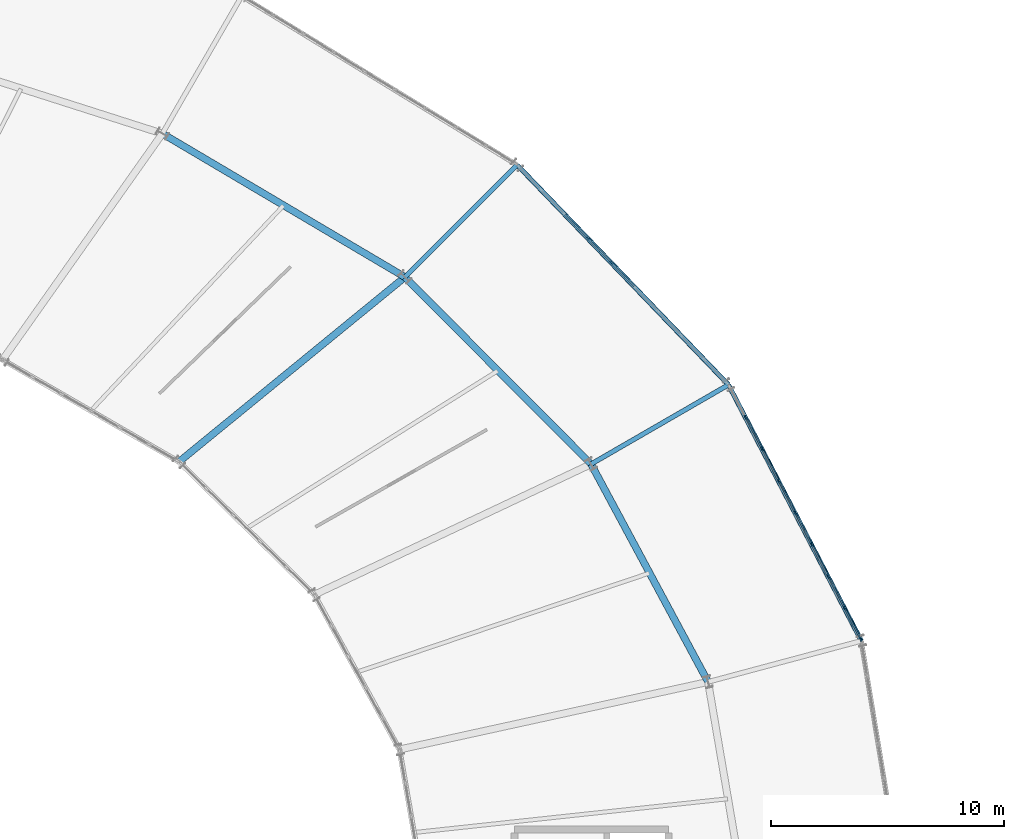
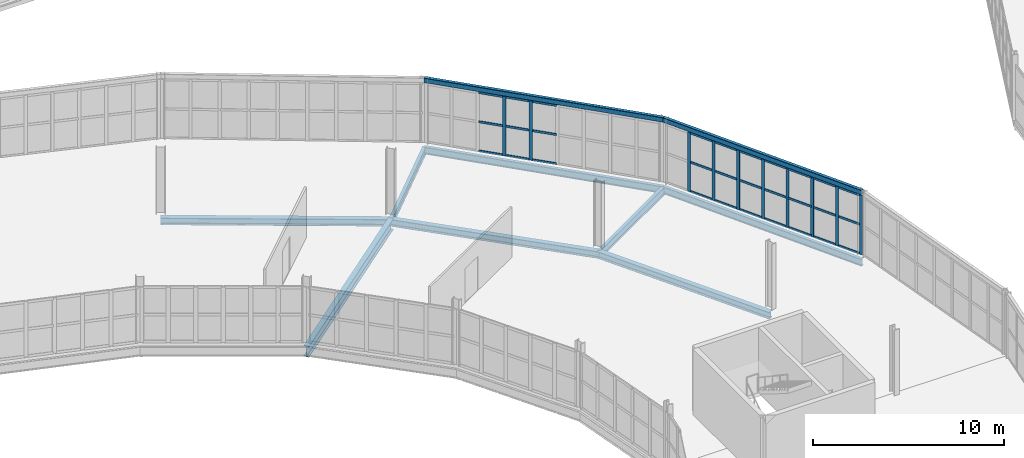
# One storey, part 85 of 161: 40 members, 10 beams, 2 elements without a shape of their own.
"""IFC4 building model written with IfcOpenShell, lengths in metres."""

from ifc_helpers import new_model, si_unit, direction, frame, origin, origin_2d, place, context, subcontext, project, spatial, rectangle, hollow_rectangle, i_section, extrude, material, material_profile, profile_set, type_object, element, aggregate, save


model = new_model("IFC4")

# Units and contexts
model_context = context("Model", 3, precision=1e-05, world=origin(), true_north=direction((0.0, 1.0)))
body_context = subcontext(model_context, "Body", "Model", "MODEL_VIEW")
ifc_project = project(units=[si_unit("LENGTHUNIT", "METRE"), si_unit("AREAUNIT", "SQUARE_METRE"), si_unit("VOLUMEUNIT", "CUBIC_METRE"), si_unit("PLANEANGLEUNIT", "RADIAN"), si_unit("MASSUNIT", "GRAM", prefix="KILO")], contexts=[model_context])

# Site, building, storey
site_placement = place(None, origin())
site = spatial("IfcSite", under=ifc_project, at=site_placement, CompositionType="ELEMENT")
building_placement = place(site_placement, origin())
building = spatial("IfcBuilding", under=site, at=building_placement, Name="Kildeholm Park Wholesale Market", CompositionType="ELEMENT")
storey_placement = place(building_placement, frame((0.0, 0.0, 5.39990234375)))
storey = spatial("IfcBuildingStorey", under=building, at=storey_placement, Name="L01", CompositionType="ELEMENT", Elevation=5.39990234375)

# Beams
ifc_material_1 = material(Name="Steel S355", Category="steel")
ifc_material_profile_1 = material_profile(ifc_material_1, i_section(OverallWidth=0.300048828125, OverallDepth=0.699951171875, WebThickness=0.01708984375, FlangeThickness=0.031982421875, FilletRadius=0.027099609375, at=origin_2d()), Name="HEB 700")
ifc_profile_set_1 = profile_set([ifc_material_profile_1], Name="Steel S355")
beam_type_1 = type_object("IfcBeamType", Name="Beam B-G01 HEB 700", PredefinedType="BEAM", material=ifc_profile_set_1)
beam_1_placement = place(storey_placement, frame((124.80908203125, 108.945068359375, -0.599853515625), z_axis=(0.774216280002, 0.632921126034, 0.0), x_axis=(-0.632921126034, 0.774216280002, 0.0)))
element("IfcBeam", 1, at=beam_1_placement, inside=storey, type_object=beam_type_1, Name="Beam BM-V1-L01-R1-03 BM-0028", PredefinedType="BEAM", context=body_context, shape_type="SweptSolid", body=[
    extrude(i_section(OverallWidth=0.300048828125, OverallDepth=0.699951171875, WebThickness=0.01708984375, FlangeThickness=0.031982421875, FilletRadius=0.027099609375, at=origin_2d()), origin(), (0.0, 0.0, 1.0), 12.51318359375),
])
ifc_material_profile_2 = material_profile(ifc_material_1, i_section(OverallWidth=0.18994140625, OverallDepth=0.449951171875, WebThickness=0.009521484375, FlangeThickness=0.0146484375, FilletRadius=0.02099609375, at=origin_2d()), Name="IPE 450")
ifc_profile_set_2 = profile_set([ifc_material_profile_2], Name="Steel S355")
beam_type_2 = type_object("IfcBeamType", Name="Beam B-P02 IPE 450", PredefinedType="BEAM", material=ifc_profile_set_2)
beam_2_placement = place(storey_placement, frame((154.05810546875, 101.27587890625, -0.474853515625), z_axis=(-0.460622041592, 0.887596380569, 0.0), x_axis=(-0.887596380569, -0.460622041592, 0.0)))
element("IfcBeam", 2, at=beam_2_placement, inside=storey, type_object=beam_type_2, Name="Beam BM-V1-L01-CO-01 BM-0014", PredefinedType="BEAM", context=body_context, shape_type="SweptSolid", body=[
    extrude(i_section(OverallWidth=0.18994140625, OverallDepth=0.449951171875, WebThickness=0.009521484375, FlangeThickness=0.0146484375, FilletRadius=0.02099609375, at=origin_2d()), origin(), (0.0, 0.0, 1.0), 12.36376953125),
])
beam_3_placement = place(storey_placement, frame((148.363037109375, 112.25, -0.474853515625), z_axis=(-0.693006803532, 0.720931044039, 0.0), x_axis=(-0.720931044039, -0.693006803532, 0.0)))
element("IfcBeam", 3, at=beam_3_placement, inside=storey, type_object=beam_type_2, Name="Beam BM-V1-L01-CO-02 BM-0023", PredefinedType="BEAM", context=body_context, shape_type="SweptSolid", body=[
    extrude(i_section(OverallWidth=0.18994140625, OverallDepth=0.449951171875, WebThickness=0.009521484375, FlangeThickness=0.0146484375, FilletRadius=0.02099609375, at=origin_2d()), origin(), (0.0, 0.0, 1.0), 13.07080078125),
])
ifc_material_profile_3 = material_profile(ifc_material_1, i_section(OverallWidth=0.199951171875, OverallDepth=0.5, WebThickness=0.01025390625, FlangeThickness=0.01611328125, FilletRadius=0.02099609375, at=origin_2d()), Name="IPE 500")
ifc_profile_set_3 = profile_set([ifc_material_profile_3], Name="Steel S355")
beam_type_3 = type_object("IfcBeamType", Name="Beam B-P03 IPE 500", PredefinedType="BEAM", material=ifc_profile_set_3)
beam_4_placement = place(storey_placement, frame((142.47412109375, 108.85009765625, -0.5), z_axis=(0.866029536736, 0.499992841449, 0.0), x_axis=(-0.499992841449, 0.866029536736, 0.0)))
element("IfcBeam", 4, at=beam_4_placement, inside=storey, type_object=beam_type_3, Name="Beam BM-V1-L01-R2-02 BM-0020", PredefinedType="BEAM", context=body_context, shape_type="SweptSolid", body=[
    extrude(i_section(OverallWidth=0.199951171875, OverallDepth=0.5, WebThickness=0.01025390625, FlangeThickness=0.01611328125, FilletRadius=0.02099609375, at=origin_2d()), origin(), (0.0, 0.0, 1.0), 6.7998046875),
])
beam_5_placement = place(storey_placement, frame((134.4970703125, 116.864990234375, -0.5), z_axis=(0.707088828163, 0.707124733755, 0.0), x_axis=(-0.707124733755, 0.707088828163, 0.0)))
element("IfcBeam", 5, at=beam_5_placement, inside=storey, type_object=beam_type_3, Name="Beam BM-V1-L01-R2-03 BM-0030", PredefinedType="BEAM", context=body_context, shape_type="SweptSolid", body=[
    extrude(i_section(OverallWidth=0.199951171875, OverallDepth=0.5, WebThickness=0.01025390625, FlangeThickness=0.01611328125, FilletRadius=0.02099609375, at=origin_2d()), origin(), (0.0, 0.0, 1.0), 6.799560546875),
])
ifc_material_profile_4 = material_profile(ifc_material_1, i_section(OverallWidth=0.300048828125, OverallDepth=0.43994140625, WebThickness=0.011474609375, FlangeThickness=0.02099609375, FilletRadius=0.027099609375, at=origin_2d()), Name="HEA 450")
ifc_profile_set_4 = profile_set([ifc_material_profile_4], Name="Steel S355")
beam_type_4 = type_object("IfcBeamType", Name="Beam B-R02 HEA 450", PredefinedType="BEAM", material=ifc_profile_set_4)
beam_6_placement = place(storey_placement, frame((147.489013671875, 99.51611328125, -0.469970703125), z_axis=(-0.473287580572, 0.880907978211, 0.0), x_axis=(-0.880907978211, -0.473287580572, 0.0)))
element("IfcBeam", 6, at=beam_6_placement, inside=storey, type_object=beam_type_4, Name="Beam BM-V1-L01-CM-01 BM-0013", PredefinedType="BEAM", context=body_context, shape_type="SweptSolid", body=[
    extrude(i_section(OverallWidth=0.300048828125, OverallDepth=0.43994140625, WebThickness=0.011474609375, FlangeThickness=0.02099609375, FilletRadius=0.027099609375, at=origin_2d()), origin(), (0.0, 0.0, 1.0), 10.595947265625),
])
beam_7_placement = place(storey_placement, frame((142.47412109375, 108.85009765625, -0.469970703125), z_axis=(-0.705431576708, 0.708778026313, 0.0), x_axis=(-0.708778026313, -0.705431576708, 0.0)))
element("IfcBeam", 7, at=beam_7_placement, inside=storey, type_object=beam_type_4, Name="Beam BM-V1-L01-CM-02 BM-0022", PredefinedType="BEAM", context=body_context, shape_type="SweptSolid", body=[
    extrude(i_section(OverallWidth=0.300048828125, OverallDepth=0.43994140625, WebThickness=0.011474609375, FlangeThickness=0.02099609375, FilletRadius=0.027099609375, at=origin_2d()), origin(), (0.0, 0.0, 1.0), 11.30810546875),
])
beam_8_placement = place(storey_placement, frame((134.4970703125, 116.864990234375, -0.469970703125), z_axis=(-0.860700316594, 0.509111937609, 0.0), x_axis=(-0.509111937609, -0.860700316594, 0.0)))
element("IfcBeam", 8, at=beam_8_placement, inside=storey, type_object=beam_type_4, Name="Beam BM-V1-L01-CM-03 BM-0032", PredefinedType="BEAM", context=body_context, shape_type="SweptSolid", body=[
    extrude(i_section(OverallWidth=0.300048828125, OverallDepth=0.43994140625, WebThickness=0.011474609375, FlangeThickness=0.02099609375, FilletRadius=0.027099609375, at=origin_2d()), origin(), (0.0, 0.0, 1.0), 12.07958984375),
])
ifc_material_profile_5 = material_profile(ifc_material_1, hollow_rectangle(XDim=0.199951171875, YDim=0.300048828125, WallThickness=0.012451171875, InnerFilletRadius=0.012451171875, OuterFilletRadius=0.02490234375, at=origin_2d()), Name="RHS 300x200x12.5")
ifc_profile_set_5 = profile_set([ifc_material_profile_5], Name="Steel S355")
beam_type_5 = type_object("IfcBeamType", Name="Beam SP-01 RHS 300x200x12.5", PredefinedType="SPANDREL", material=ifc_profile_set_5)
beam_9_placement = place(storey_placement, frame((154.05810546875, 101.27587890625, 4.02099609375), z_axis=(-0.460622041592, 0.887596380569, 0.0), x_axis=(-0.887596380569, -0.460622041592, 0.0)))
element("IfcBeam", 9, at=beam_9_placement, inside=storey, type_object=beam_type_5, Name="Beam SP-V1-EAV-01 BM-0226", PredefinedType="SPANDREL", context=body_context, shape_type="SweptSolid", body=[
    extrude(hollow_rectangle(XDim=0.199951171875, YDim=0.300048828125, WallThickness=0.012451171875, InnerFilletRadius=0.012451171875, OuterFilletRadius=0.02490234375, at=origin_2d()), origin(), (0.0, 0.0, 1.0), 12.36376953125),
])
beam_10_placement = place(storey_placement, frame((148.363037109375, 112.25, 4.0205078125), z_axis=(-0.693006803532, 0.720931044039, 0.0), x_axis=(-0.720931044039, -0.693006803532, 0.0)))
element("IfcBeam", 10, at=beam_10_placement, inside=storey, type_object=beam_type_5, Name="Beam SP-V1-EAV-02 BM-0232", PredefinedType="SPANDREL", context=body_context, shape_type="SweptSolid", body=[
    extrude(hollow_rectangle(XDim=0.199951171875, YDim=0.300048828125, WallThickness=0.012451171875, InnerFilletRadius=0.012451171875, OuterFilletRadius=0.02490234375, at=origin_2d()), origin(), (0.0, 0.0, 1.0), 13.07080078125),
])

# Curtain wall, members
ifc_material_2 = material(Name="Anodised aluminium and low-E double-glazed glass", Category="aluminium")
curtain_wall_type = type_object("IfcCurtainWallType", Name="Market hall glazed arcade stick curtain wall CW-01", PredefinedType="NOTDEFINED", material=ifc_material_2)
curtain_wall_1_placement = place(storey_placement, origin())
curtain_wall_1 = element("IfcCurtainWall", 11, at=curtain_wall_1_placement, inside=storey, type_object=curtain_wall_type, Name="Curtain wall CW-V1-OT-01-1 CW-0006", PredefinedType="NOTDEFINED")
ifc_material_3 = material(Name="Anodised aluminium", Category="aluminium")
ifc_material_profile_6 = material_profile(ifc_material_3, rectangle(XDim=0.06494140625, YDim=0.179931640625, at=origin_2d()), Name="CWM 65x180")
ifc_profile_set_6 = profile_set([ifc_material_profile_6], Name="Anodised aluminium")
member_type_1 = type_object("IfcMemberType", Name="Curtain-wall mullion CWM-1 CWM 65x180", PredefinedType="MULLION", material=ifc_profile_set_6)
member_1_placement = place(storey_placement, frame((154.030029296875, 101.341796875, 0.0), z_axis=(0.0, 0.0, 1.0), x_axis=(-0.88765224586, -0.460514375909, 0.0)))
member_1 = element("IfcMember", 12, at=member_1_placement, type_object=member_type_1, Name="CW-01 mullion 1 MEM-0519", PredefinedType="MULLION", context=body_context, shape_type="SweptSolid", body=[
    extrude(rectangle(XDim=0.06494140625, YDim=0.179931640625, at=origin_2d()), origin(), (0.0, 0.0, 1.0), 3.800048828125),
])
member_2_placement = place(storey_placement, frame((153.337890625, 102.676025390625, 0.0), z_axis=(0.0, 0.0, 1.0), x_axis=(-0.88765224586, -0.460514375909, 0.0)))
member_2 = element("IfcMember", 13, at=member_2_placement, type_object=member_type_1, Name="CW-01 mullion 2 MEM-0520", PredefinedType="MULLION", context=body_context, shape_type="SweptSolid", body=[
    extrude(rectangle(XDim=0.06494140625, YDim=0.179931640625, at=origin_2d()), origin(), (0.0, 0.0, 1.0), 3.800048828125),
])
member_3_placement = place(storey_placement, frame((152.630859375, 104.0390625, 0.0), z_axis=(0.0, 0.0, 1.0), x_axis=(-0.88765224586, -0.460514375909, 0.0)))
member_3 = element("IfcMember", 14, at=member_3_placement, type_object=member_type_1, Name="CW-01 mullion 3 MEM-0521", PredefinedType="MULLION", context=body_context, shape_type="SweptSolid", body=[
    extrude(rectangle(XDim=0.06494140625, YDim=0.179931640625, at=origin_2d()), origin(), (0.0, 0.0, 1.0), 3.800048828125),
])
member_4_placement = place(storey_placement, frame((151.923583984375, 105.402099609375, 0.0), z_axis=(0.0, 0.0, 1.0), x_axis=(-0.88765224586, -0.460514375909, 0.0)))
member_4 = element("IfcMember", 15, at=member_4_placement, type_object=member_type_1, Name="CW-01 mullion 4 MEM-0522", PredefinedType="MULLION", context=body_context, shape_type="SweptSolid", body=[
    extrude(rectangle(XDim=0.06494140625, YDim=0.179931640625, at=origin_2d()), origin(), (0.0, 0.0, 1.0), 3.800048828125),
])
member_5_placement = place(storey_placement, frame((151.216552734375, 106.764892578125, 0.0), z_axis=(0.0, 0.0, 1.0), x_axis=(-0.88765224586, -0.460514375909, 0.0)))
member_5 = element("IfcMember", 16, at=member_5_placement, type_object=member_type_1, Name="CW-01 mullion 5 MEM-0523", PredefinedType="MULLION", context=body_context, shape_type="SweptSolid", body=[
    extrude(rectangle(XDim=0.06494140625, YDim=0.179931640625, at=origin_2d()), origin(), (0.0, 0.0, 1.0), 3.800048828125),
])
member_6_placement = place(storey_placement, frame((150.50927734375, 108.1279296875, 0.0), z_axis=(0.0, 0.0, 1.0), x_axis=(-0.88765224586, -0.460514375909, 0.0)))
member_6 = element("IfcMember", 17, at=member_6_placement, type_object=member_type_1, Name="CW-01 mullion 6 MEM-0524", PredefinedType="MULLION", context=body_context, shape_type="SweptSolid", body=[
    extrude(rectangle(XDim=0.06494140625, YDim=0.179931640625, at=origin_2d()), origin(), (0.0, 0.0, 1.0), 3.800048828125),
])
member_7_placement = place(storey_placement, frame((149.80224609375, 109.490966796875, 0.0), z_axis=(0.0, 0.0, 1.0), x_axis=(-0.88765224586, -0.460514375909, 0.0)))
member_7 = element("IfcMember", 18, at=member_7_placement, type_object=member_type_1, Name="CW-01 mullion 7 MEM-0525", PredefinedType="MULLION", context=body_context, shape_type="SweptSolid", body=[
    extrude(rectangle(XDim=0.06494140625, YDim=0.179931640625, at=origin_2d()), origin(), (0.0, 0.0, 1.0), 3.800048828125),
])
member_8_placement = place(storey_placement, frame((149.09521484375, 110.85400390625, 0.0), z_axis=(0.0, 0.0, 1.0), x_axis=(-0.88765224586, -0.460514375909, 0.0)))
member_8 = element("IfcMember", 19, at=member_8_placement, type_object=member_type_1, Name="CW-01 mullion 8 MEM-0526", PredefinedType="MULLION", context=body_context, shape_type="SweptSolid", body=[
    extrude(rectangle(XDim=0.06494140625, YDim=0.179931640625, at=origin_2d()), origin(), (0.0, 0.0, 1.0), 3.800048828125),
])

curtain_wall_2_placement = place(storey_placement, origin())
curtain_wall_2 = element("IfcCurtainWall", 20, at=curtain_wall_2_placement, inside=storey, type_object=curtain_wall_type, Name="Curtain wall CW-V1-OT-02-1 CW-0011", PredefinedType="NOTDEFINED")
member_9_placement = place(storey_placement, frame((143.3388671875, 117.4853515625, 0.0), z_axis=(0.0, 0.0, 1.0), x_axis=(-0.720901097951, -0.69303795493, 0.0)))
member_9 = element("IfcMember", 21, at=member_9_placement, type_object=member_type_1, Name="CW-01 mullion 6 MEM-0649", PredefinedType="MULLION", context=body_context, shape_type="SweptSolid", body=[
    extrude(rectangle(XDim=0.06494140625, YDim=0.179931640625, at=origin_2d()), origin(), (0.0, 0.0, 1.0), 3.800048828125),
])
member_10_placement = place(storey_placement, frame((142.33837890625, 118.52587890625, 0.0), z_axis=(0.0, 0.0, 1.0), x_axis=(-0.720901097951, -0.69303795493, 0.0)))
member_10 = element("IfcMember", 22, at=member_10_placement, type_object=member_type_1, Name="CW-01 mullion 7 MEM-0650", PredefinedType="MULLION", context=body_context, shape_type="SweptSolid", body=[
    extrude(rectangle(XDim=0.06494140625, YDim=0.179931640625, at=origin_2d()), origin(), (0.0, 0.0, 1.0), 3.800048828125),
])

# Member
ifc_material_profile_7 = material_profile(ifc_material_3, rectangle(XDim=0.06494140625, YDim=0.139892578125, at=origin_2d()), Name="CWT 65x140")
ifc_profile_set_7 = profile_set([ifc_material_profile_7], Name="Anodised aluminium")
member_type_2 = type_object("IfcMemberType", Name="Curtain-wall transom CWT-1 CWT 65x140", PredefinedType="USERDEFINED", material=ifc_profile_set_7)
member_11_placement = place(storey_placement, frame((154.01513671875, 101.37060546875, 0.03271484375), z_axis=(-0.460540122908, 0.887638887832, 0.0), x_axis=(-0.887638887832, -0.460540122908, 0.0)))
member_11 = element("IfcMember", 23, at=member_11_placement, type_object=member_type_2, Name="CW-01 transom 1.1 MEM-0528", ObjectType="TRANSOM", PredefinedType="USERDEFINED", context=body_context, shape_type="SweptSolid", body=[
    extrude(rectangle(XDim=0.06494140625, YDim=0.139892578125, at=origin_2d()), origin(), (0.0, 0.0, 1.0), 1.438232421875),
])

member_12_placement = place(storey_placement, frame((154.01513671875, 101.37060546875, 1.900146484375), z_axis=(-0.460540122908, 0.887638887832, 0.0), x_axis=(-0.887638887832, -0.460540122908, 0.0)))
member_12 = element("IfcMember", 24, at=member_12_placement, type_object=member_type_2, Name="CW-01 transom 1.2 MEM-0529", ObjectType="TRANSOM", PredefinedType="USERDEFINED", context=body_context, shape_type="SweptSolid", body=[
    extrude(rectangle(XDim=0.06494140625, YDim=0.139892578125, at=origin_2d()), origin(), (0.0, 0.0, 1.0), 1.438232421875),
])

member_13_placement = place(storey_placement, frame((154.01513671875, 101.37060546875, 3.767578125), z_axis=(-0.460540122908, 0.887638887832, 0.0), x_axis=(-0.887638887832, -0.460540122908, 0.0)))
member_13 = element("IfcMember", 25, at=member_13_placement, type_object=member_type_2, Name="CW-01 transom 1.3 MEM-0530", ObjectType="TRANSOM", PredefinedType="USERDEFINED", context=body_context, shape_type="SweptSolid", body=[
    extrude(rectangle(XDim=0.06494140625, YDim=0.139892578125, at=origin_2d()), origin(), (0.0, 0.0, 1.0), 1.438232421875),
])

member_14_placement = place(storey_placement, frame((153.322998046875, 102.704833984375, 0.03271484375), z_axis=(-0.460510981056, 0.887654007104, 0.0), x_axis=(-0.887654007104, -0.460510981056, 0.0)))
member_14 = element("IfcMember", 26, at=member_14_placement, type_object=member_type_2, Name="CW-01 transom 2.1 MEM-0531", ObjectType="TRANSOM", PredefinedType="USERDEFINED", context=body_context, shape_type="SweptSolid", body=[
    extrude(rectangle(XDim=0.06494140625, YDim=0.139892578125, at=origin_2d()), origin(), (0.0, 0.0, 1.0), 1.470703125),
])

member_15_placement = place(storey_placement, frame((153.322998046875, 102.704833984375, 1.900146484375), z_axis=(-0.460510981056, 0.887654007104, 0.0), x_axis=(-0.887654007104, -0.460510981056, 0.0)))
member_15 = element("IfcMember", 27, at=member_15_placement, type_object=member_type_2, Name="CW-01 transom 2.2 MEM-0532", ObjectType="TRANSOM", PredefinedType="USERDEFINED", context=body_context, shape_type="SweptSolid", body=[
    extrude(rectangle(XDim=0.06494140625, YDim=0.139892578125, at=origin_2d()), origin(), (0.0, 0.0, 1.0), 1.470703125),
])

member_16_placement = place(storey_placement, frame((153.322998046875, 102.704833984375, 3.767578125), z_axis=(-0.460510981056, 0.887654007104, 0.0), x_axis=(-0.887654007104, -0.460510981056, 0.0)))
member_16 = element("IfcMember", 28, at=member_16_placement, type_object=member_type_2, Name="CW-01 transom 2.3 MEM-0533", ObjectType="TRANSOM", PredefinedType="USERDEFINED", context=body_context, shape_type="SweptSolid", body=[
    extrude(rectangle(XDim=0.06494140625, YDim=0.139892578125, at=origin_2d()), origin(), (0.0, 0.0, 1.0), 1.470703125),
])

member_17_placement = place(storey_placement, frame((152.61572265625, 104.06787109375, 0.03271484375), z_axis=(-0.46057885024, 0.887618793577, 0.0), x_axis=(-0.887618793577, -0.46057885024, 0.0)))
member_17 = element("IfcMember", 29, at=member_17_placement, type_object=member_type_2, Name="CW-01 transom 3.1 MEM-0534", ObjectType="TRANSOM", PredefinedType="USERDEFINED", context=body_context, shape_type="SweptSolid", body=[
    extrude(rectangle(XDim=0.06494140625, YDim=0.139892578125, at=origin_2d()), origin(), (0.0, 0.0, 1.0), 1.470458984375),
])

member_18_placement = place(storey_placement, frame((152.61572265625, 104.06787109375, 1.900146484375), z_axis=(-0.46057885024, 0.887618793577, 0.0), x_axis=(-0.887618793577, -0.46057885024, 0.0)))
member_18 = element("IfcMember", 30, at=member_18_placement, type_object=member_type_2, Name="CW-01 transom 3.2 MEM-0535", ObjectType="TRANSOM", PredefinedType="USERDEFINED", context=body_context, shape_type="SweptSolid", body=[
    extrude(rectangle(XDim=0.06494140625, YDim=0.139892578125, at=origin_2d()), origin(), (0.0, 0.0, 1.0), 1.470458984375),
])

member_19_placement = place(storey_placement, frame((152.61572265625, 104.06787109375, 3.767578125), z_axis=(-0.46057885024, 0.887618793577, 0.0), x_axis=(-0.887618793577, -0.46057885024, 0.0)))
member_19 = element("IfcMember", 31, at=member_19_placement, type_object=member_type_2, Name="CW-01 transom 3.3 MEM-0536", ObjectType="TRANSOM", PredefinedType="USERDEFINED", context=body_context, shape_type="SweptSolid", body=[
    extrude(rectangle(XDim=0.06494140625, YDim=0.139892578125, at=origin_2d()), origin(), (0.0, 0.0, 1.0), 1.470458984375),
])

member_20_placement = place(storey_placement, frame((151.90869140625, 105.430908203125, 0.03271484375), z_axis=(-0.46057885024, 0.887618793577, 0.0), x_axis=(-0.887618793577, -0.46057885024, 0.0)))
member_20 = element("IfcMember", 32, at=member_20_placement, type_object=member_type_2, Name="CW-01 transom 4.1 MEM-0537", ObjectType="TRANSOM", PredefinedType="USERDEFINED", context=body_context, shape_type="SweptSolid", body=[
    extrude(rectangle(XDim=0.06494140625, YDim=0.139892578125, at=origin_2d()), origin(), (0.0, 0.0, 1.0), 1.470458984375),
])

member_21_placement = place(storey_placement, frame((151.90869140625, 105.430908203125, 1.900146484375), z_axis=(-0.46057885024, 0.887618793577, 0.0), x_axis=(-0.887618793577, -0.46057885024, 0.0)))
member_21 = element("IfcMember", 33, at=member_21_placement, type_object=member_type_2, Name="CW-01 transom 4.2 MEM-0538", ObjectType="TRANSOM", PredefinedType="USERDEFINED", context=body_context, shape_type="SweptSolid", body=[
    extrude(rectangle(XDim=0.06494140625, YDim=0.139892578125, at=origin_2d()), origin(), (0.0, 0.0, 1.0), 1.470458984375),
])

member_22_placement = place(storey_placement, frame((151.90869140625, 105.430908203125, 3.767578125), z_axis=(-0.46057885024, 0.887618793577, 0.0), x_axis=(-0.887618793577, -0.46057885024, 0.0)))
member_22 = element("IfcMember", 34, at=member_22_placement, type_object=member_type_2, Name="CW-01 transom 4.3 MEM-0539", ObjectType="TRANSOM", PredefinedType="USERDEFINED", context=body_context, shape_type="SweptSolid", body=[
    extrude(rectangle(XDim=0.06494140625, YDim=0.139892578125, at=origin_2d()), origin(), (0.0, 0.0, 1.0), 1.470458984375),
])

member_23_placement = place(storey_placement, frame((151.201416015625, 106.7939453125, 0.03271484375), z_axis=(-0.460448022353, 0.887686666967, 0.0), x_axis=(-0.887686666967, -0.460448022353, 0.0)))
member_23 = element("IfcMember", 35, at=member_23_placement, type_object=member_type_2, Name="CW-01 transom 5.1 MEM-0540", ObjectType="TRANSOM", PredefinedType="USERDEFINED", context=body_context, shape_type="SweptSolid", body=[
    extrude(rectangle(XDim=0.06494140625, YDim=0.139892578125, at=origin_2d()), origin(), (0.0, 0.0, 1.0), 1.47021484375),
])

member_24_placement = place(storey_placement, frame((151.201416015625, 106.7939453125, 1.900146484375), z_axis=(-0.460448022353, 0.887686666967, 0.0), x_axis=(-0.887686666967, -0.460448022353, 0.0)))
member_24 = element("IfcMember", 36, at=member_24_placement, type_object=member_type_2, Name="CW-01 transom 5.2 MEM-0541", ObjectType="TRANSOM", PredefinedType="USERDEFINED", context=body_context, shape_type="SweptSolid", body=[
    extrude(rectangle(XDim=0.06494140625, YDim=0.139892578125, at=origin_2d()), origin(), (0.0, 0.0, 1.0), 1.47021484375),
])

member_25_placement = place(storey_placement, frame((151.201416015625, 106.7939453125, 3.767578125), z_axis=(-0.460448022353, 0.887686666967, 0.0), x_axis=(-0.887686666967, -0.460448022353, 0.0)))
member_25 = element("IfcMember", 37, at=member_25_placement, type_object=member_type_2, Name="CW-01 transom 5.3 MEM-0542", ObjectType="TRANSOM", PredefinedType="USERDEFINED", context=body_context, shape_type="SweptSolid", body=[
    extrude(rectangle(XDim=0.06494140625, YDim=0.139892578125, at=origin_2d()), origin(), (0.0, 0.0, 1.0), 1.47021484375),
])

member_26_placement = place(storey_placement, frame((150.494384765625, 108.15673828125, 0.03271484375), z_axis=(-0.460510981056, 0.887654007104, 0.0), x_axis=(-0.887654007104, -0.460510981056, 0.0)))
member_26 = element("IfcMember", 38, at=member_26_placement, type_object=member_type_2, Name="CW-01 transom 6.1 MEM-0543", ObjectType="TRANSOM", PredefinedType="USERDEFINED", context=body_context, shape_type="SweptSolid", body=[
    extrude(rectangle(XDim=0.06494140625, YDim=0.139892578125, at=origin_2d()), origin(), (0.0, 0.0, 1.0), 1.470703125),
])

member_27_placement = place(storey_placement, frame((150.494384765625, 108.15673828125, 1.900146484375), z_axis=(-0.460510981056, 0.887654007104, 0.0), x_axis=(-0.887654007104, -0.460510981056, 0.0)))
member_27 = element("IfcMember", 39, at=member_27_placement, type_object=member_type_2, Name="CW-01 transom 6.2 MEM-0544", ObjectType="TRANSOM", PredefinedType="USERDEFINED", context=body_context, shape_type="SweptSolid", body=[
    extrude(rectangle(XDim=0.06494140625, YDim=0.139892578125, at=origin_2d()), origin(), (0.0, 0.0, 1.0), 1.470703125),
])

member_28_placement = place(storey_placement, frame((150.494384765625, 108.15673828125, 3.767578125), z_axis=(-0.460510981056, 0.887654007104, 0.0), x_axis=(-0.887654007104, -0.460510981056, 0.0)))
member_28 = element("IfcMember", 40, at=member_28_placement, type_object=member_type_2, Name="CW-01 transom 6.3 MEM-0545", ObjectType="TRANSOM", PredefinedType="USERDEFINED", context=body_context, shape_type="SweptSolid", body=[
    extrude(rectangle(XDim=0.06494140625, YDim=0.139892578125, at=origin_2d()), origin(), (0.0, 0.0, 1.0), 1.470703125),
])

member_29_placement = place(storey_placement, frame((149.787353515625, 109.519775390625, 0.03271484375), z_axis=(-0.460510981056, 0.887654007104, 0.0), x_axis=(-0.887654007104, -0.460510981056, 0.0)))
member_29 = element("IfcMember", 41, at=member_29_placement, type_object=member_type_2, Name="CW-01 transom 7.1 MEM-0546", ObjectType="TRANSOM", PredefinedType="USERDEFINED", context=body_context, shape_type="SweptSolid", body=[
    extrude(rectangle(XDim=0.06494140625, YDim=0.139892578125, at=origin_2d()), origin(), (0.0, 0.0, 1.0), 1.470703125),
])

member_30_placement = place(storey_placement, frame((149.787353515625, 109.519775390625, 1.900146484375), z_axis=(-0.460510981056, 0.887654007104, 0.0), x_axis=(-0.887654007104, -0.460510981056, 0.0)))
member_30 = element("IfcMember", 42, at=member_30_placement, type_object=member_type_2, Name="CW-01 transom 7.2 MEM-0547", ObjectType="TRANSOM", PredefinedType="USERDEFINED", context=body_context, shape_type="SweptSolid", body=[
    extrude(rectangle(XDim=0.06494140625, YDim=0.139892578125, at=origin_2d()), origin(), (0.0, 0.0, 1.0), 1.470703125),
])

member_31_placement = place(storey_placement, frame((149.787353515625, 109.519775390625, 3.767578125), z_axis=(-0.460510981056, 0.887654007104, 0.0), x_axis=(-0.887654007104, -0.460510981056, 0.0)))
member_31 = element("IfcMember", 43, at=member_31_placement, type_object=member_type_2, Name="CW-01 transom 7.3 MEM-0548", ObjectType="TRANSOM", PredefinedType="USERDEFINED", context=body_context, shape_type="SweptSolid", body=[
    extrude(rectangle(XDim=0.06494140625, YDim=0.139892578125, at=origin_2d()), origin(), (0.0, 0.0, 1.0), 1.470703125),
])

aggregate(curtain_wall_1, [member_1, member_2, member_3, member_4, member_5, member_6, member_7, member_8, member_11, member_12, member_13, member_14, member_15, member_16, member_17, member_18, member_19, member_20, member_21, member_22, member_23, member_24, member_25, member_26, member_27, member_28, member_29, member_30, member_31])

member_32_placement = place(storey_placement, frame((144.316650390625, 116.468017578125, 0.03271484375), z_axis=(-0.692977754297, 0.720958966967, 0.0), x_axis=(-0.720958966967, -0.692977754297, 0.0)))
member_32 = element("IfcMember", 44, at=member_32_placement, type_object=member_type_2, Name="CW-01 transom 5.1 MEM-0666", ObjectType="TRANSOM", PredefinedType="USERDEFINED", context=body_context, shape_type="SweptSolid", body=[
    extrude(rectangle(XDim=0.06494140625, YDim=0.139892578125, at=origin_2d()), origin(), (0.0, 0.0, 1.0), 1.378662109375),
])

member_33_placement = place(storey_placement, frame((144.316650390625, 116.468017578125, 1.900146484375), z_axis=(-0.692977754297, 0.720958966967, 0.0), x_axis=(-0.720958966967, -0.692977754297, 0.0)))
member_33 = element("IfcMember", 45, at=member_33_placement, type_object=member_type_2, Name="CW-01 transom 5.2 MEM-0667", ObjectType="TRANSOM", PredefinedType="USERDEFINED", context=body_context, shape_type="SweptSolid", body=[
    extrude(rectangle(XDim=0.06494140625, YDim=0.139892578125, at=origin_2d()), origin(), (0.0, 0.0, 1.0), 1.378662109375),
])

member_34_placement = place(storey_placement, frame((144.316650390625, 116.468017578125, 3.767578125), z_axis=(-0.692977754297, 0.720958966967, 0.0), x_axis=(-0.720958966967, -0.692977754297, 0.0)))
member_34 = element("IfcMember", 46, at=member_34_placement, type_object=member_type_2, Name="CW-01 transom 5.3 MEM-0668", ObjectType="TRANSOM", PredefinedType="USERDEFINED", context=body_context, shape_type="SweptSolid", body=[
    extrude(rectangle(XDim=0.06494140625, YDim=0.139892578125, at=origin_2d()), origin(), (0.0, 0.0, 1.0), 1.378662109375),
])

member_35_placement = place(storey_placement, frame((143.316162109375, 117.5087890625, 0.03271484375), z_axis=(-0.692977754297, 0.720958966967, 0.0), x_axis=(-0.720958966967, -0.692977754297, 0.0)))
member_35 = element("IfcMember", 47, at=member_35_placement, type_object=member_type_2, Name="CW-01 transom 6.1 MEM-0669", ObjectType="TRANSOM", PredefinedType="USERDEFINED", context=body_context, shape_type="SweptSolid", body=[
    extrude(rectangle(XDim=0.06494140625, YDim=0.139892578125, at=origin_2d()), origin(), (0.0, 0.0, 1.0), 1.378662109375),
])

member_36_placement = place(storey_placement, frame((143.316162109375, 117.5087890625, 1.900146484375), z_axis=(-0.692977754297, 0.720958966967, 0.0), x_axis=(-0.720958966967, -0.692977754297, 0.0)))
member_36 = element("IfcMember", 48, at=member_36_placement, type_object=member_type_2, Name="CW-01 transom 6.2 MEM-0670", ObjectType="TRANSOM", PredefinedType="USERDEFINED", context=body_context, shape_type="SweptSolid", body=[
    extrude(rectangle(XDim=0.06494140625, YDim=0.139892578125, at=origin_2d()), origin(), (0.0, 0.0, 1.0), 1.378662109375),
])

member_37_placement = place(storey_placement, frame((143.316162109375, 117.5087890625, 3.767578125), z_axis=(-0.692977754297, 0.720958966967, 0.0), x_axis=(-0.720958966967, -0.692977754297, 0.0)))
member_37 = element("IfcMember", 49, at=member_37_placement, type_object=member_type_2, Name="CW-01 transom 6.3 MEM-0671", ObjectType="TRANSOM", PredefinedType="USERDEFINED", context=body_context, shape_type="SweptSolid", body=[
    extrude(rectangle(XDim=0.06494140625, YDim=0.139892578125, at=origin_2d()), origin(), (0.0, 0.0, 1.0), 1.378662109375),
])

member_38_placement = place(storey_placement, frame((142.31591796875, 118.54931640625, 0.03271484375), z_axis=(-0.693069788784, 0.720870493137, 0.0), x_axis=(-0.720870493137, -0.693069788784, 0.0)))
member_38 = element("IfcMember", 50, at=member_38_placement, type_object=member_type_2, Name="CW-01 transom 7.1 MEM-0672", ObjectType="TRANSOM", PredefinedType="USERDEFINED", context=body_context, shape_type="SweptSolid", body=[
    extrude(rectangle(XDim=0.06494140625, YDim=0.139892578125, at=origin_2d()), origin(), (0.0, 0.0, 1.0), 1.378662109375),
])

member_39_placement = place(storey_placement, frame((142.31591796875, 118.54931640625, 1.900146484375), z_axis=(-0.693069788784, 0.720870493137, 0.0), x_axis=(-0.720870493137, -0.693069788784, 0.0)))
member_39 = element("IfcMember", 51, at=member_39_placement, type_object=member_type_2, Name="CW-01 transom 7.2 MEM-0673", ObjectType="TRANSOM", PredefinedType="USERDEFINED", context=body_context, shape_type="SweptSolid", body=[
    extrude(rectangle(XDim=0.06494140625, YDim=0.139892578125, at=origin_2d()), origin(), (0.0, 0.0, 1.0), 1.378662109375),
])

member_40_placement = place(storey_placement, frame((142.31591796875, 118.54931640625, 3.767578125), z_axis=(-0.693069788784, 0.720870493137, 0.0), x_axis=(-0.720870493137, -0.693069788784, 0.0)))
member_40 = element("IfcMember", 52, at=member_40_placement, type_object=member_type_2, Name="CW-01 transom 7.3 MEM-0674", ObjectType="TRANSOM", PredefinedType="USERDEFINED", context=body_context, shape_type="SweptSolid", body=[
    extrude(rectangle(XDim=0.06494140625, YDim=0.139892578125, at=origin_2d()), origin(), (0.0, 0.0, 1.0), 1.378662109375),
])

aggregate(curtain_wall_2, [member_9, member_10, member_32, member_33, member_34, member_35, member_36, member_37, member_38, member_39, member_40])

save(model, "model.ifc")
